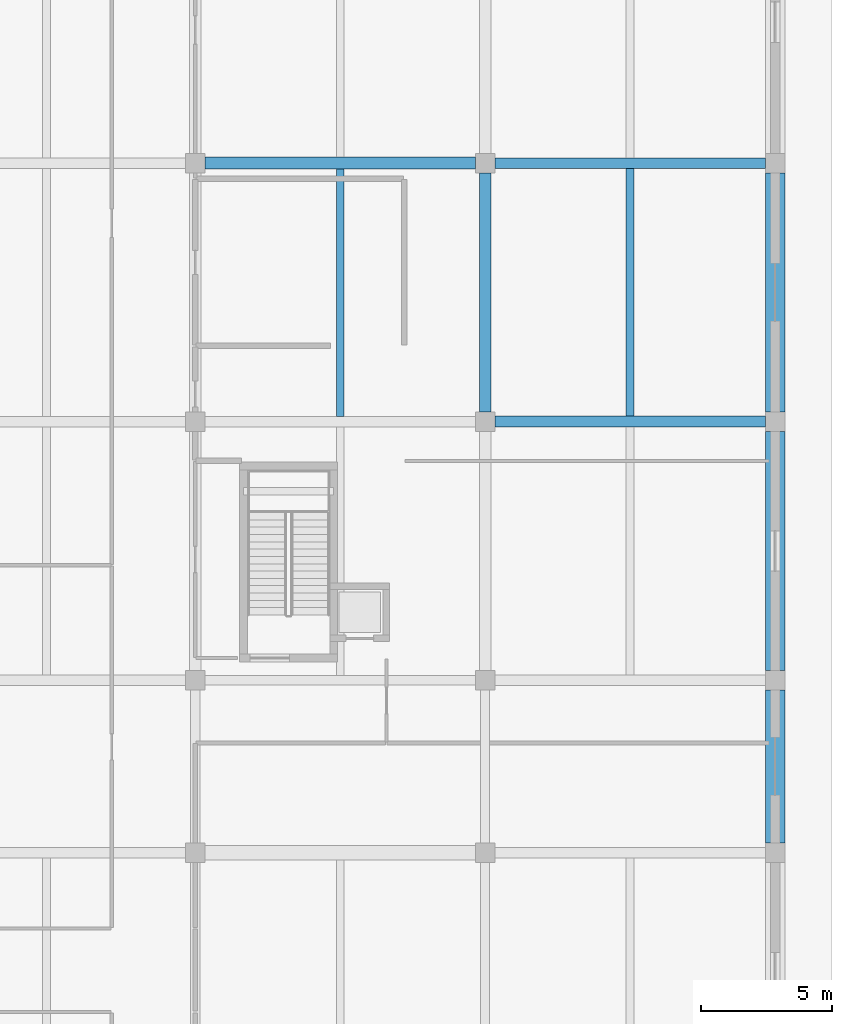
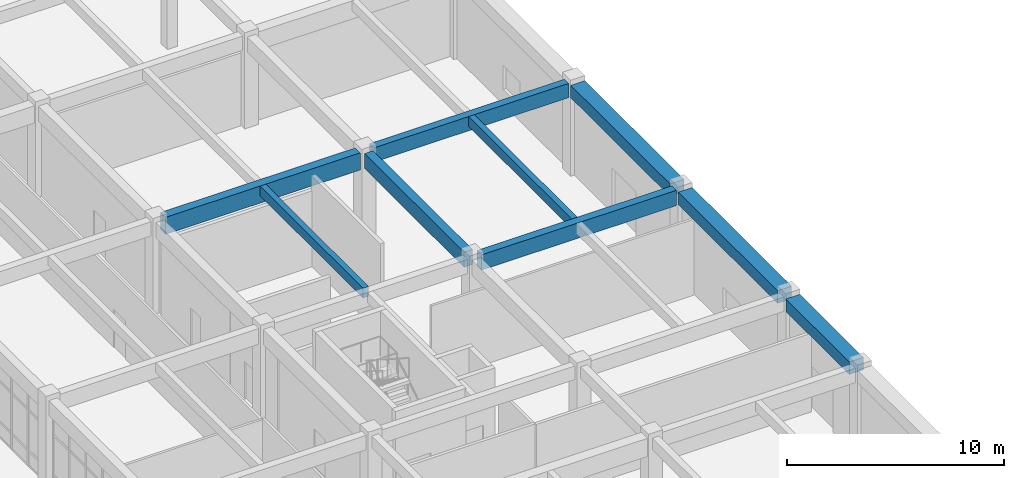
# One storey, part 31 of 70: 9 beams.
"""IFC4 building model written with IfcOpenShell, lengths in metres."""

from ifc_helpers import new_model, si_unit, direction, frame, origin, origin_2d, place, context, subcontext, project, spatial, rectangle, extrude, material, material_profile, profile_set, type_object, element, save


model = new_model("IFC4")

# Units and contexts
model_context = context("Model", 3, precision=1e-05, world=origin(), true_north=direction((0.0, 1.0)))
body_context = subcontext(model_context, "Body", "Model", "MODEL_VIEW")
ifc_project = project(units=[si_unit("LENGTHUNIT", "METRE"), si_unit("AREAUNIT", "SQUARE_METRE"), si_unit("VOLUMEUNIT", "CUBIC_METRE"), si_unit("PLANEANGLEUNIT", "RADIAN"), si_unit("MASSUNIT", "GRAM", prefix="KILO")], contexts=[model_context])

# Site, building, storey
site_placement = place(None, origin())
site = spatial("IfcSite", under=ifc_project, at=site_placement, CompositionType="ELEMENT")
building_placement = place(site_placement, origin())
building = spatial("IfcBuilding", under=site, at=building_placement, Name="Miralva Faculty of Natural Sciences", CompositionType="ELEMENT")
storey_placement = place(building_placement, origin())
storey = spatial("IfcBuildingStorey", under=building, at=storey_placement, Name="L00", CompositionType="ELEMENT", Elevation=0.0)

# Beams
ifc_material = material(Name="Concrete C40/50", Category="concrete")
ifc_material_profile_1 = material_profile(ifc_material, rectangle(XDim=0.449951171875, YDim=0.85009765625, at=origin_2d()), Name="RC 450x850")
ifc_profile_set_1 = profile_set([ifc_material_profile_1], Name="Concrete C40/50")
beam_type_1 = type_object("IfcBeamType", Name="BM-B01", PredefinedType="BEAM", material=ifc_profile_set_1)
beam_1_placement = place(storey_placement, frame((156.300048828125, 55.875, 4.695068359375), z_axis=(0.0, 1.0, 0.0), x_axis=(-1.0, 0.0, 0.0)))
element("IfcBeam", 1, at=beam_1_placement, inside=storey, type_object=beam_type_1, Name="Girder NS L00-204", PredefinedType="BEAM", context=body_context, shape_type="SweptSolid", body=[
    extrude(rectangle(XDim=0.449951171875, YDim=0.85009765625, at=origin_2d()), origin(), (0.0, 0.0, 1.0), 9.14990234375),
])
ifc_material_profile_2 = material_profile(ifc_material, rectangle(XDim=0.39990234375, YDim=0.800048828125, at=origin_2d()), Name="RC 400x800")
ifc_profile_set_2 = profile_set([ifc_material_profile_2], Name="Concrete C40/50")
beam_type_2 = type_object("IfcBeamType", Name="BM-B02", PredefinedType="BEAM", material=ifc_profile_set_2)
beam_2_placement = place(storey_placement, frame((156.675048828125, 65.39990234375, 4.719970703125), z_axis=(1.0, 0.0, 0.0), x_axis=(0.0, 1.0, 0.0)))
element("IfcBeam", 2, at=beam_2_placement, inside=storey, type_object=beam_type_2, Name="Girder EW L00-60", PredefinedType="BEAM", context=body_context, shape_type="SweptSolid", body=[
    extrude(rectangle(XDim=0.39990234375, YDim=0.800048828125, at=origin_2d()), origin(), (0.0, 0.0, 1.0), 10.349853515625),
])
ifc_material_profile_3 = material_profile(ifc_material, rectangle(XDim=0.419921875, YDim=0.860107421875, at=origin_2d()), Name="RC 420x860")
ifc_profile_set_3 = profile_set([ifc_material_profile_3], Name="Concrete C40/50")
beam_type_3 = type_object("IfcBeamType", Name="BM-BG12", PredefinedType="BEAM", material=ifc_profile_set_3)
beam_3_placement = place(storey_placement, frame((156.675048828125, 55.5, 4.68994140625), z_axis=(1.0, 0.0, 0.0), x_axis=(0.0, 1.0, 0.0)))
element("IfcBeam", 3, at=beam_3_placement, inside=storey, type_object=beam_type_3, Name="Girder EW L00-55", PredefinedType="BEAM", context=body_context, shape_type="SweptSolid", body=[
    extrude(rectangle(XDim=0.419921875, YDim=0.860107421875, at=origin_2d()), origin(), (0.0, 0.0, 1.0), 10.349853515625),
])
ifc_material_profile_4 = material_profile(ifc_material, rectangle(XDim=0.4599609375, YDim=0.9599609375, at=origin_2d()), Name="RC 460x960")
ifc_profile_set_4 = profile_set([ifc_material_profile_4], Name="Concrete C40/50")
beam_type_4 = type_object("IfcBeamType", Name="BM-BG16", PredefinedType="BEAM", material=ifc_profile_set_4)
beam_4_placement = place(storey_placement, frame((145.574951171875, 65.39990234375, 4.639892578125), z_axis=(1.0, 0.0, 0.0), x_axis=(0.0, 1.0, 0.0)))
element("IfcBeam", 4, at=beam_4_placement, inside=storey, type_object=beam_type_4, Name="Girder EW L00-59", PredefinedType="BEAM", context=body_context, shape_type="SweptSolid", body=[
    extrude(rectangle(XDim=0.4599609375, YDim=0.9599609375, at=origin_2d()), origin(), (0.0, 0.0, 1.0), 10.35009765625),
])
ifc_material_profile_5 = material_profile(ifc_material, rectangle(XDim=0.300048828125, YDim=0.550048828125, at=origin_2d()), Name="RC 300x550")
ifc_profile_set_5 = profile_set([ifc_material_profile_5], Name="Concrete C40/50")
beam_type_5 = type_object("IfcBeamType", Name="BM-J02", PredefinedType="JOIST", material=ifc_profile_set_5)
beam_5_placement = place(storey_placement, frame((150.75, 55.699951171875, 4.844970703125), z_axis=(0.0, 1.0, 0.0), x_axis=(-1.0, 0.0, 0.0)))
element("IfcBeam", 5, at=beam_5_placement, inside=storey, type_object=beam_type_5, Name="Floor joist L00-20", PredefinedType="JOIST", context=body_context, shape_type="SweptSolid", body=[
    extrude(rectangle(XDim=0.300048828125, YDim=0.550048828125, at=origin_2d()), origin(), (0.0, 0.0, 1.0), 9.469970703125),
])
beam_6_placement = place(storey_placement, frame((161.85009765625, 55.7099609375, 4.844970703125), z_axis=(0.0, 1.0, 0.0), x_axis=(-1.0, 0.0, 0.0)))
element("IfcBeam", 6, at=beam_6_placement, inside=storey, type_object=beam_type_5, Name="Floor joist L00-21", PredefinedType="JOIST", context=body_context, shape_type="SweptSolid", body=[
    extrude(rectangle(XDim=0.300048828125, YDim=0.550048828125, at=origin_2d()), origin(), (0.0, 0.0, 1.0), 9.489990234375),
])
ifc_material_profile_6 = material_profile(ifc_material, rectangle(XDim=0.75, YDim=0.699951171875, at=origin_2d()), Name="RC 750x700")
ifc_profile_set_6 = profile_set([ifc_material_profile_6], Name="Concrete C40/50")
beam_type_6 = type_object("IfcBeamType", Name="BM-SP01", PredefinedType="SPANDREL", material=ifc_profile_set_6)
beam_7_placement = place(storey_placement, frame((167.39990234375, 39.375, 4.77001953125), z_axis=(0.0, 1.0, 0.0), x_axis=(-1.0, 0.0, 0.0)))
element("IfcBeam", 7, at=beam_7_placement, inside=storey, type_object=beam_type_6, Name="Girder NS L00-214", PredefinedType="SPANDREL", context=body_context, shape_type="SweptSolid", body=[
    extrude(rectangle(XDim=0.75, YDim=0.699951171875, at=origin_2d()), origin(), (0.0, 0.0, 1.0), 5.85009765625),
])
for number, where, z_axis, x_axis, name in (
    (8, (167.39990234375, 45.97509765625, 4.77001953125), (0.0, 1.0, 0.0), (-1.0, 0.0, 0.0), "Girder NS L00-215"),
    (9, (167.39990234375, 55.875, 4.77001953125), (0.0, 1.0, 0.0), (-1.0, 0.0, 0.0), "Girder NS L00-216"),
):
    element("IfcBeam", number, at=place(storey_placement, frame(where, z_axis=z_axis, x_axis=x_axis)), inside=storey, type_object=beam_type_6, Name=name, PredefinedType="SPANDREL", context=body_context, shape_type="SweptSolid", body=[
        extrude(rectangle(XDim=0.75, YDim=0.699951171875, at=origin_2d()), origin(), (0.0, 0.0, 1.0), 9.14990234375),
    ])

save(model, "model.ifc")
